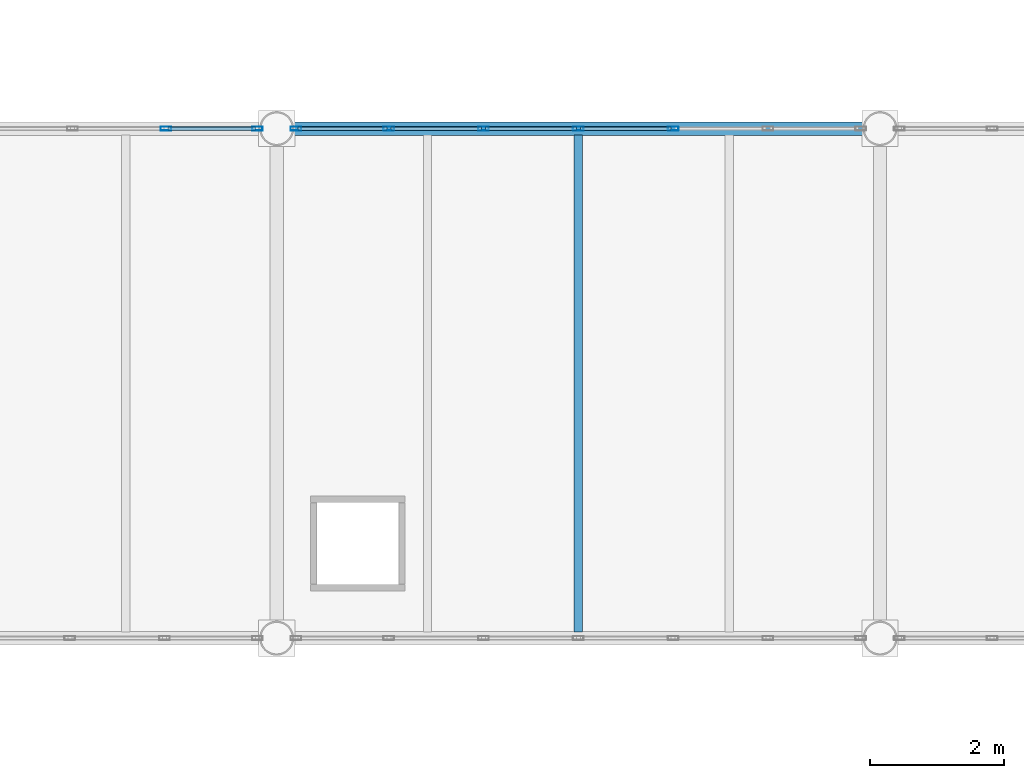
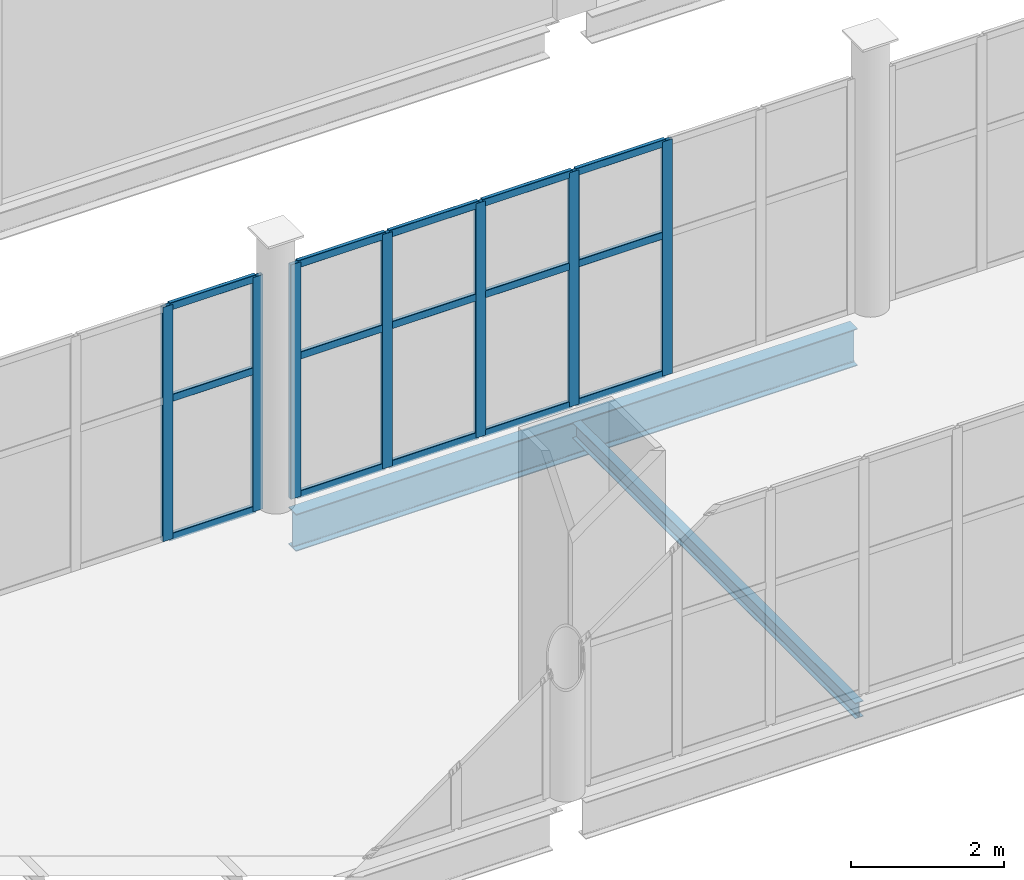
# One storey, part 65 of 136: 22 members, 2 beams, 2 elements without a shape of their own.
"""IFC4 building model written with IfcOpenShell, lengths in metres."""

from ifc_helpers import new_model, si_unit, direction, frame, origin, origin_2d, place, context, subcontext, project, spatial, hollow_rectangle, i_section, extrude, material, material_profile, profile_set, type_object, element, aggregate, save


model = new_model("IFC4")

# Units and contexts
model_context = context("Model", 3, precision=1e-05, world=origin(), true_north=direction((0.0, 1.0)))
body_context = subcontext(model_context, "Body", "Model", "MODEL_VIEW")
ifc_project = project(units=[si_unit("LENGTHUNIT", "METRE"), si_unit("AREAUNIT", "SQUARE_METRE"), si_unit("VOLUMEUNIT", "CUBIC_METRE"), si_unit("PLANEANGLEUNIT", "RADIAN"), si_unit("MASSUNIT", "GRAM", prefix="KILO")], contexts=[model_context])

# Site, building, storey
site_placement = place(None, origin())
site = spatial("IfcSite", under=ifc_project, at=site_placement, CompositionType="ELEMENT")
building_placement = place(site_placement, origin())
building = spatial("IfcBuilding", under=site, at=building_placement, Name="Shengluoqiao Park Theatre", CompositionType="ELEMENT")
storey_placement = place(building_placement, frame((0.0, 0.0, 10.0)))
storey = spatial("IfcBuildingStorey", under=building, at=storey_placement, Name="L02", CompositionType="ELEMENT", Elevation=10.0)

# Curtain wall, members
ifc_material_1 = material(Name="Aluminium 6063-T6", Category="aluminium")
curtain_wall_type = type_object("IfcCurtainWallType", Name="ENV-CW-BRIDGE", PredefinedType="NOTDEFINED", material=ifc_material_1)
curtain_wall_1_placement = place(storey_placement, origin())
curtain_wall_1 = element("IfcCurtainWall", 1, at=curtain_wall_1_placement, inside=storey, type_object=curtain_wall_type, Name="L02 Curtain Wall CWX-L02-0118", PredefinedType="NOTDEFINED")
ifc_material_profile_1 = material_profile(ifc_material_1, hollow_rectangle(XDim=0.06005859375, YDim=0.159912109375, WallThickness=0.00390625, InnerFilletRadius=0.00390625, OuterFilletRadius=0.008056640625, at=origin_2d()), Name="ALU MULLION 160x60x4")
ifc_profile_set_1 = profile_set([ifc_material_profile_1], Name="Aluminium 6063-T6")
member_type_1 = type_object("IfcMemberType", Name="ENV-MUL-160", PredefinedType="MULLION", material=ifc_profile_set_1)
member_1_placement = place(storey_placement, frame((119.748046875, 76.0, 0.0), z_axis=(0.0, 0.0, 1.0), x_axis=(0.0, 1.0, 0.0)))
member_1 = element("IfcMember", 2, at=member_1_placement, type_object=member_type_1, Name="CW-03 mullion 6", PredefinedType="MULLION", context=body_context, shape_type="SweptSolid", body=[
    extrude(hollow_rectangle(XDim=0.06005859375, YDim=0.159912109375, WallThickness=0.00390625, InnerFilletRadius=0.00390625, OuterFilletRadius=0.008056640625, at=origin_2d()), origin(), (0.0, 0.0, 1.0), 3.751953125),
])
member_2_placement = place(storey_placement, frame((121.112060546875, 76.0, 0.0), z_axis=(0.0, 0.0, 1.0), x_axis=(0.0, 1.0, 0.0)))
member_2 = element("IfcMember", 3, at=member_2_placement, type_object=member_type_1, Name="CW-03 mullion 7", PredefinedType="MULLION", context=body_context, shape_type="SweptSolid", body=[
    extrude(hollow_rectangle(XDim=0.06005859375, YDim=0.159912109375, WallThickness=0.00390625, InnerFilletRadius=0.00390625, OuterFilletRadius=0.008056640625, at=origin_2d()), origin(), (0.0, 0.0, 1.0), 3.751953125),
])

curtain_wall_2_placement = place(storey_placement, origin())
curtain_wall_2 = element("IfcCurtainWall", 4, at=curtain_wall_2_placement, inside=storey, type_object=curtain_wall_type, Name="L02 Curtain Wall CWX-L02-0119", PredefinedType="NOTDEFINED")
member_3_placement = place(storey_placement, frame((121.68798828125, 76.0, 0.0), z_axis=(0.0, 0.0, 1.0), x_axis=(0.0, 1.0, 0.0)))
member_3 = element("IfcMember", 5, at=member_3_placement, type_object=member_type_1, Name="CW-03 mullion 1", PredefinedType="MULLION", context=body_context, shape_type="SweptSolid", body=[
    extrude(hollow_rectangle(XDim=0.06005859375, YDim=0.159912109375, WallThickness=0.00390625, InnerFilletRadius=0.00390625, OuterFilletRadius=0.008056640625, at=origin_2d()), origin(), (0.0, 0.0, 1.0), 3.751953125),
])
member_4_placement = place(storey_placement, frame((123.072021484375, 76.0, 0.0), z_axis=(0.0, 0.0, 1.0), x_axis=(0.0, 1.0, 0.0)))
member_4 = element("IfcMember", 6, at=member_4_placement, type_object=member_type_1, Name="CW-03 mullion 2", PredefinedType="MULLION", context=body_context, shape_type="SweptSolid", body=[
    extrude(hollow_rectangle(XDim=0.06005859375, YDim=0.159912109375, WallThickness=0.00390625, InnerFilletRadius=0.00390625, OuterFilletRadius=0.008056640625, at=origin_2d()), origin(), (0.0, 0.0, 1.0), 3.751953125),
])
member_5_placement = place(storey_placement, frame((124.486083984375, 76.0, 0.0), z_axis=(0.0, 0.0, 1.0), x_axis=(0.0, 1.0, 0.0)))
member_5 = element("IfcMember", 7, at=member_5_placement, type_object=member_type_1, Name="CW-03 mullion 3", PredefinedType="MULLION", context=body_context, shape_type="SweptSolid", body=[
    extrude(hollow_rectangle(XDim=0.06005859375, YDim=0.159912109375, WallThickness=0.00390625, InnerFilletRadius=0.00390625, OuterFilletRadius=0.008056640625, at=origin_2d()), origin(), (0.0, 0.0, 1.0), 3.751953125),
])
member_6_placement = place(storey_placement, frame((125.89990234375, 76.0, 0.0), z_axis=(0.0, 0.0, 1.0), x_axis=(0.0, 1.0, 0.0)))
member_6 = element("IfcMember", 8, at=member_6_placement, type_object=member_type_1, Name="CW-03 mullion 4", PredefinedType="MULLION", context=body_context, shape_type="SweptSolid", body=[
    extrude(hollow_rectangle(XDim=0.06005859375, YDim=0.159912109375, WallThickness=0.00390625, InnerFilletRadius=0.00390625, OuterFilletRadius=0.008056640625, at=origin_2d()), origin(), (0.0, 0.0, 1.0), 3.751953125),
])
member_7_placement = place(storey_placement, frame((127.31396484375, 76.0, 0.0), z_axis=(0.0, 0.0, 1.0), x_axis=(0.0, 1.0, 0.0)))
member_7 = element("IfcMember", 9, at=member_7_placement, type_object=member_type_1, Name="CW-03 mullion 5", PredefinedType="MULLION", context=body_context, shape_type="SweptSolid", body=[
    extrude(hollow_rectangle(XDim=0.06005859375, YDim=0.159912109375, WallThickness=0.00390625, InnerFilletRadius=0.00390625, OuterFilletRadius=0.008056640625, at=origin_2d()), origin(), (0.0, 0.0, 1.0), 3.751953125),
])

# Member
ifc_material_profile_2 = material_profile(ifc_material_1, hollow_rectangle(XDim=0.06005859375, YDim=0.1201171875, WallThickness=0.00390625, InnerFilletRadius=0.00390625, OuterFilletRadius=0.008056640625, at=origin_2d()), Name="ALU TRANSOM 120x60x4")
ifc_profile_set_2 = profile_set([ifc_material_profile_2], Name="Aluminium 6063-T6")
member_type_2 = type_object("IfcMemberType", Name="ENV-TRN-120", PredefinedType="USERDEFINED", material=ifc_profile_set_2)
member_8_placement = place(storey_placement, frame((119.778076171875, 76.0, 0.030029296875), z_axis=(1.0, 0.0, 0.0), x_axis=(0.0, 1.0, 0.0)))
member_8 = element("IfcMember", 10, at=member_8_placement, type_object=member_type_2, Name="CW-03 transom 6.1", ObjectType="TRANSOM", PredefinedType="USERDEFINED", context=body_context, shape_type="SweptSolid", body=[
    extrude(hollow_rectangle(XDim=0.06005859375, YDim=0.1201171875, WallThickness=0.00390625, InnerFilletRadius=0.00390625, OuterFilletRadius=0.008056640625, at=origin_2d()), origin(), (0.0, 0.0, 1.0), 1.303955078125),
])

member_9_placement = place(storey_placement, frame((119.778076171875, 76.0, 2.2509765625), z_axis=(1.0, 0.0, 0.0), x_axis=(0.0, 1.0, 0.0)))
member_9 = element("IfcMember", 11, at=member_9_placement, type_object=member_type_2, Name="CW-03 transom 6.2", ObjectType="TRANSOM", PredefinedType="USERDEFINED", context=body_context, shape_type="SweptSolid", body=[
    extrude(hollow_rectangle(XDim=0.06005859375, YDim=0.1201171875, WallThickness=0.00390625, InnerFilletRadius=0.00390625, OuterFilletRadius=0.008056640625, at=origin_2d()), origin(), (0.0, 0.0, 1.0), 1.303955078125),
])

member_10_placement = place(storey_placement, frame((119.778076171875, 76.0, 3.721923828125), z_axis=(1.0, 0.0, 0.0), x_axis=(0.0, 1.0, 0.0)))
member_10 = element("IfcMember", 12, at=member_10_placement, type_object=member_type_2, Name="CW-03 transom 6.3", ObjectType="TRANSOM", PredefinedType="USERDEFINED", context=body_context, shape_type="SweptSolid", body=[
    extrude(hollow_rectangle(XDim=0.06005859375, YDim=0.1201171875, WallThickness=0.00390625, InnerFilletRadius=0.00390625, OuterFilletRadius=0.008056640625, at=origin_2d()), origin(), (0.0, 0.0, 1.0), 1.303955078125),
])

aggregate(curtain_wall_1, [member_1, member_2, member_8, member_9, member_10])

member_11_placement = place(storey_placement, frame((121.718017578125, 76.0, 0.030029296875), z_axis=(1.0, 0.0, 0.0), x_axis=(0.0, 1.0, 0.0)))
member_11 = element("IfcMember", 13, at=member_11_placement, type_object=member_type_2, Name="CW-03 transom 1.1", ObjectType="TRANSOM", PredefinedType="USERDEFINED", context=body_context, shape_type="SweptSolid", body=[
    extrude(hollow_rectangle(XDim=0.06005859375, YDim=0.1201171875, WallThickness=0.00390625, InnerFilletRadius=0.00390625, OuterFilletRadius=0.008056640625, at=origin_2d()), origin(), (0.0, 0.0, 1.0), 1.323974609375),
])

member_12_placement = place(storey_placement, frame((121.718017578125, 76.0, 2.2509765625), z_axis=(1.0, 0.0, 0.0), x_axis=(0.0, 1.0, 0.0)))
member_12 = element("IfcMember", 14, at=member_12_placement, type_object=member_type_2, Name="CW-03 transom 1.2", ObjectType="TRANSOM", PredefinedType="USERDEFINED", context=body_context, shape_type="SweptSolid", body=[
    extrude(hollow_rectangle(XDim=0.06005859375, YDim=0.1201171875, WallThickness=0.00390625, InnerFilletRadius=0.00390625, OuterFilletRadius=0.008056640625, at=origin_2d()), origin(), (0.0, 0.0, 1.0), 1.323974609375),
])

member_13_placement = place(storey_placement, frame((121.718017578125, 76.0, 3.721923828125), z_axis=(1.0, 0.0, 0.0), x_axis=(0.0, 1.0, 0.0)))
member_13 = element("IfcMember", 15, at=member_13_placement, type_object=member_type_2, Name="CW-03 transom 1.3", ObjectType="TRANSOM", PredefinedType="USERDEFINED", context=body_context, shape_type="SweptSolid", body=[
    extrude(hollow_rectangle(XDim=0.06005859375, YDim=0.1201171875, WallThickness=0.00390625, InnerFilletRadius=0.00390625, OuterFilletRadius=0.008056640625, at=origin_2d()), origin(), (0.0, 0.0, 1.0), 1.323974609375),
])

member_14_placement = place(storey_placement, frame((123.10205078125, 76.0, 0.030029296875), z_axis=(1.0, 0.0, 0.0), x_axis=(0.0, 1.0, 0.0)))
member_14 = element("IfcMember", 16, at=member_14_placement, type_object=member_type_2, Name="CW-03 transom 2.1", ObjectType="TRANSOM", PredefinedType="USERDEFINED", context=body_context, shape_type="SweptSolid", body=[
    extrude(hollow_rectangle(XDim=0.06005859375, YDim=0.1201171875, WallThickness=0.00390625, InnerFilletRadius=0.00390625, OuterFilletRadius=0.008056640625, at=origin_2d()), origin(), (0.0, 0.0, 1.0), 1.35400390625),
])

member_15_placement = place(storey_placement, frame((123.10205078125, 76.0, 2.2509765625), z_axis=(1.0, 0.0, 0.0), x_axis=(0.0, 1.0, 0.0)))
member_15 = element("IfcMember", 17, at=member_15_placement, type_object=member_type_2, Name="CW-03 transom 2.2", ObjectType="TRANSOM", PredefinedType="USERDEFINED", context=body_context, shape_type="SweptSolid", body=[
    extrude(hollow_rectangle(XDim=0.06005859375, YDim=0.1201171875, WallThickness=0.00390625, InnerFilletRadius=0.00390625, OuterFilletRadius=0.008056640625, at=origin_2d()), origin(), (0.0, 0.0, 1.0), 1.35400390625),
])

member_16_placement = place(storey_placement, frame((123.10205078125, 76.0, 3.721923828125), z_axis=(1.0, 0.0, 0.0), x_axis=(0.0, 1.0, 0.0)))
member_16 = element("IfcMember", 18, at=member_16_placement, type_object=member_type_2, Name="CW-03 transom 2.3", ObjectType="TRANSOM", PredefinedType="USERDEFINED", context=body_context, shape_type="SweptSolid", body=[
    extrude(hollow_rectangle(XDim=0.06005859375, YDim=0.1201171875, WallThickness=0.00390625, InnerFilletRadius=0.00390625, OuterFilletRadius=0.008056640625, at=origin_2d()), origin(), (0.0, 0.0, 1.0), 1.35400390625),
])

member_17_placement = place(storey_placement, frame((124.51611328125, 76.0, 0.030029296875), z_axis=(1.0, 0.0, 0.0), x_axis=(0.0, 1.0, 0.0)))
member_17 = element("IfcMember", 19, at=member_17_placement, type_object=member_type_2, Name="CW-03 transom 3.1", ObjectType="TRANSOM", PredefinedType="USERDEFINED", context=body_context, shape_type="SweptSolid", body=[
    extrude(hollow_rectangle(XDim=0.06005859375, YDim=0.1201171875, WallThickness=0.00390625, InnerFilletRadius=0.00390625, OuterFilletRadius=0.008056640625, at=origin_2d()), origin(), (0.0, 0.0, 1.0), 1.35400390625),
])

member_18_placement = place(storey_placement, frame((124.51611328125, 76.0, 2.2509765625), z_axis=(1.0, 0.0, 0.0), x_axis=(0.0, 1.0, 0.0)))
member_18 = element("IfcMember", 20, at=member_18_placement, type_object=member_type_2, Name="CW-03 transom 3.2", ObjectType="TRANSOM", PredefinedType="USERDEFINED", context=body_context, shape_type="SweptSolid", body=[
    extrude(hollow_rectangle(XDim=0.06005859375, YDim=0.1201171875, WallThickness=0.00390625, InnerFilletRadius=0.00390625, OuterFilletRadius=0.008056640625, at=origin_2d()), origin(), (0.0, 0.0, 1.0), 1.35400390625),
])

member_19_placement = place(storey_placement, frame((124.51611328125, 76.0, 3.721923828125), z_axis=(1.0, 0.0, 0.0), x_axis=(0.0, 1.0, 0.0)))
member_19 = element("IfcMember", 21, at=member_19_placement, type_object=member_type_2, Name="CW-03 transom 3.3", ObjectType="TRANSOM", PredefinedType="USERDEFINED", context=body_context, shape_type="SweptSolid", body=[
    extrude(hollow_rectangle(XDim=0.06005859375, YDim=0.1201171875, WallThickness=0.00390625, InnerFilletRadius=0.00390625, OuterFilletRadius=0.008056640625, at=origin_2d()), origin(), (0.0, 0.0, 1.0), 1.35400390625),
])

member_20_placement = place(storey_placement, frame((125.929931640625, 76.0, 0.030029296875), z_axis=(1.0, 0.0, 0.0), x_axis=(0.0, 1.0, 0.0)))
member_20 = element("IfcMember", 22, at=member_20_placement, type_object=member_type_2, Name="CW-03 transom 4.1", ObjectType="TRANSOM", PredefinedType="USERDEFINED", context=body_context, shape_type="SweptSolid", body=[
    extrude(hollow_rectangle(XDim=0.06005859375, YDim=0.1201171875, WallThickness=0.00390625, InnerFilletRadius=0.00390625, OuterFilletRadius=0.008056640625, at=origin_2d()), origin(), (0.0, 0.0, 1.0), 1.35400390625),
])

member_21_placement = place(storey_placement, frame((125.929931640625, 76.0, 2.2509765625), z_axis=(1.0, 0.0, 0.0), x_axis=(0.0, 1.0, 0.0)))
member_21 = element("IfcMember", 23, at=member_21_placement, type_object=member_type_2, Name="CW-03 transom 4.2", ObjectType="TRANSOM", PredefinedType="USERDEFINED", context=body_context, shape_type="SweptSolid", body=[
    extrude(hollow_rectangle(XDim=0.06005859375, YDim=0.1201171875, WallThickness=0.00390625, InnerFilletRadius=0.00390625, OuterFilletRadius=0.008056640625, at=origin_2d()), origin(), (0.0, 0.0, 1.0), 1.35400390625),
])

member_22_placement = place(storey_placement, frame((125.929931640625, 76.0, 3.721923828125), z_axis=(1.0, 0.0, 0.0), x_axis=(0.0, 1.0, 0.0)))
member_22 = element("IfcMember", 24, at=member_22_placement, type_object=member_type_2, Name="CW-03 transom 4.3", ObjectType="TRANSOM", PredefinedType="USERDEFINED", context=body_context, shape_type="SweptSolid", body=[
    extrude(hollow_rectangle(XDim=0.06005859375, YDim=0.1201171875, WallThickness=0.00390625, InnerFilletRadius=0.00390625, OuterFilletRadius=0.008056640625, at=origin_2d()), origin(), (0.0, 0.0, 1.0), 1.35400390625),
])

aggregate(curtain_wall_2, [member_3, member_4, member_5, member_6, member_7, member_11, member_12, member_13, member_14, member_15, member_16, member_17, member_18, member_19, member_20, member_21, member_22])

# Beams
ifc_material_2 = material(Name="Steel Q355", Category="steel")
ifc_material_profile_3 = material_profile(ifc_material_2, i_section(OverallWidth=0.125, OverallDepth=0.25, WebThickness=0.006103515625, FlangeThickness=0.009033203125, FilletRadius=0.010009765625, at=origin_2d()), Name="HN 250x125x6x9")
ifc_profile_set_3 = profile_set([ifc_material_profile_3], Name="Steel Q355")
beam_type_1 = type_object("IfcBeamType", Name="STR-BM-J-HN250", PredefinedType="JOIST", material=ifc_profile_set_3)
beam_1_placement = place(storey_placement, frame((125.89990234375, 68.494384765625, -0.3349609375), z_axis=(0.0, 1.0, 0.0), x_axis=(-1.0, 0.0, 0.0)))
element("IfcBeam", 25, at=beam_1_placement, inside=storey, type_object=beam_type_1, Name="L02 Composite Joist 01042", PredefinedType="JOIST", context=body_context, shape_type="SweptSolid", body=[
    extrude(i_section(OverallWidth=0.125, OverallDepth=0.25, WebThickness=0.006103515625, FlangeThickness=0.009033203125, FilletRadius=0.010009765625, at=origin_2d()), origin(), (0.0, 0.0, 1.0), 7.4111328125),
])
ifc_material_profile_4 = material_profile(ifc_material_2, i_section(OverallWidth=0.198974609375, OverallDepth=0.595947265625, WebThickness=0.010009765625, FlangeThickness=0.014892578125, FilletRadius=0.02001953125, at=origin_2d()), Name="HN 596x199x10x15")
ifc_profile_set_4 = profile_set([ifc_material_profile_4], Name="Steel Q355")
beam_type_2 = type_object("IfcBeamType", Name="STR-BM-SP-HN596", PredefinedType="SPANDREL", material=ifc_profile_set_4)
beam_2_placement = place(storey_placement, frame((121.64794921875, 76.0, -0.508056640625), z_axis=(1.0, 0.0, 0.0), x_axis=(0.0, 1.0, 0.0)))
element("IfcBeam", 26, at=beam_2_placement, inside=storey, type_object=beam_type_2, Name="L02 Primary Girder 01017", PredefinedType="SPANDREL", context=body_context, shape_type="SweptSolid", body=[
    extrude(i_section(OverallWidth=0.198974609375, OverallDepth=0.595947265625, WebThickness=0.010009765625, FlangeThickness=0.014892578125, FilletRadius=0.02001953125, at=origin_2d()), origin(), (0.0, 0.0, 1.0), 8.504150390625),
])

save(model, "model.ifc")
